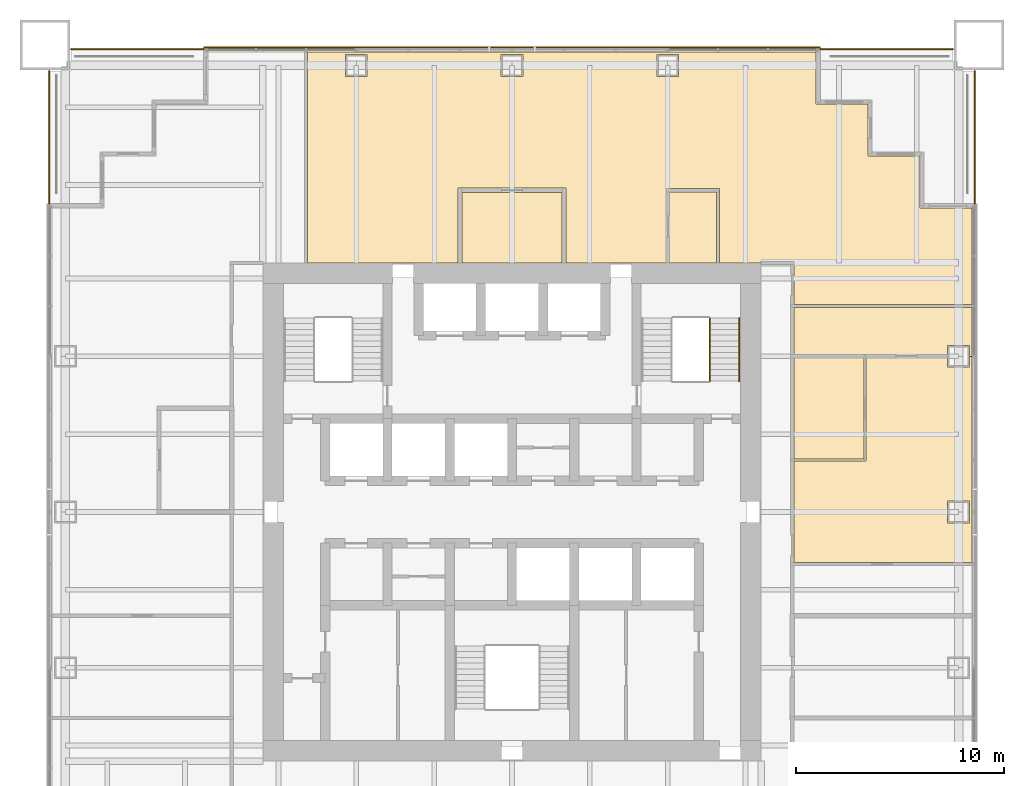
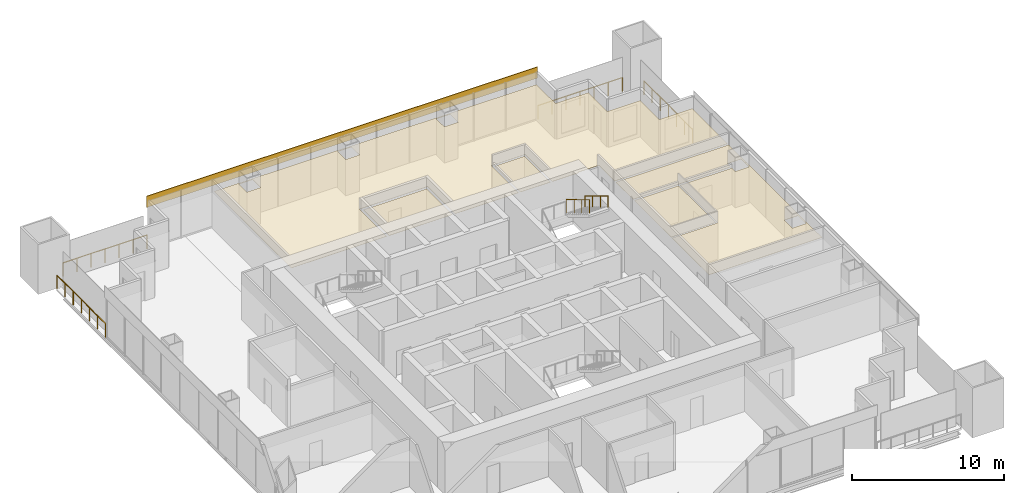
# One storey, part 13 of 13: 7 coverings, 6 railings.
"""IFC4 building model written with IfcOpenShell, lengths in metres."""

import ifcopenshell
import ifcopenshell.guid

model = None  # the IFC model being written
_history = None  # IfcOwnerHistory: only IFC2X3 demands one
_inside = {}  # id of a spatial element -> (the spatial element, [elements in it])
_under = {}  # id of a project, library or spatial element -> (it, [spatial elements below it])
_declared = {}  # id of a project -> (the project, [libraries it declares])
_typed = {}  # id of a type object -> (the type object, [elements of that type])
_made_of = {}  # id of a material, layer set ... -> (it, [elements and type objects made of it])


def new_model(schema):
    """Start an empty IFC model of exactly this schema.

    Asked for "IFC4X3", IfcOpenShell would pick the latest addendum, in which some entities
    have other attributes; the version numbers below select the first issue.
    IFC2X3 requires an IfcOwnerHistory on every rooted entity: one is made here for all.
    """
    global model, _history
    if schema == "IFC4X3":
        model = ifcopenshell.file(schema_version=(4, 3, 0, 0))
    else:
        model = ifcopenshell.file(schema=schema)
    _inside.clear()
    _under.clear()
    _declared.clear()
    _typed.clear()
    _made_of.clear()
    _history = None
    if model.schema == "IFC2X3":
        org = make("IfcOrganization", Name="unknown")
        user = make(
            "IfcPersonAndOrganization",
            ThePerson=make("IfcPerson", FamilyName="unknown"),
            TheOrganization=org,
        )
        app = make(
            "IfcApplication",
            ApplicationDeveloper=org,
            Version="unknown",
            ApplicationFullName="unknown",
            ApplicationIdentifier="unknown",
        )
        _history = make(
            "IfcOwnerHistory",
            OwningUser=user,
            OwningApplication=app,
            ChangeAction="ADDED",
            CreationDate=0,
        )
    return model


def make(cls, **values):
    """One entity of the class cls with the attributes given. An attribute that is None is left unset."""
    return model.create_entity(
        cls, **{name: value for name, value in values.items() if value is not None}
    )


def rooted(cls, **values):
    """An entity with a GlobalId (a new one), such as an element, a storey or a relation."""
    return make(cls, GlobalId=ifcopenshell.guid.new(), OwnerHistory=_history, **values)


def si_unit(unit_type, name, prefix=None):
    """IfcSIUnit, for example si_unit("LENGTHUNIT", "METRE", prefix="MILLI")."""
    return make("IfcSIUnit", UnitType=unit_type, Prefix=prefix, Name=name)


def assignment(units):
    """IfcUnitAssignment: the units of a project."""
    return None if units is None else make("IfcUnitAssignment", Units=units)


def point(xyz):
    """IfcCartesianPoint."""
    return None if xyz is None else make("IfcCartesianPoint", Coordinates=xyz)


def direction(xyz):
    """IfcDirection."""
    return None if xyz is None else make("IfcDirection", DirectionRatios=xyz)


def frame(location, z_axis=None, x_axis=None):
    """IfcAxis2Placement3D, a coordinate frame: its origin and axes. An axis left out is left unset."""
    return make(
        "IfcAxis2Placement3D",
        Location=point(location),
        Axis=direction(z_axis),
        RefDirection=direction(x_axis),
    )


def frame_2d(location, x_axis=None):
    """IfcAxis2Placement2D, a coordinate frame in the plane: its origin and x axis."""
    return make(
        "IfcAxis2Placement2D", Location=point(location), RefDirection=direction(x_axis)
    )


def origin():
    """The frame at (0, 0, 0) with its axes left unset."""
    return frame((0.0, 0.0, 0.0))


def origin_2d():
    """The frame at (0, 0) in the plane with its x axis left unset."""
    return frame_2d((0.0, 0.0))


def place(relative_to, where):
    """IfcLocalPlacement: puts the frame where relative to a parent placement (None: the world)."""
    return make(
        "IfcLocalPlacement", PlacementRelTo=relative_to, RelativePlacement=where
    )


def context(
    kind, dimensions, precision=None, world=None, true_north=None, identifier=None
):
    """IfcGeometricRepresentationContext, for example the 3D "Model" context."""
    return make(
        "IfcGeometricRepresentationContext",
        ContextIdentifier=identifier,
        ContextType=kind,
        CoordinateSpaceDimension=dimensions,
        Precision=precision,
        WorldCoordinateSystem=world,
        TrueNorth=true_north,
    )


def subcontext(parent, identifier, kind, view, scale=None):
    """IfcGeometricRepresentationSubContext, for example "Body" below "Model"."""
    return make(
        "IfcGeometricRepresentationSubContext",
        ContextIdentifier=identifier,
        ContextType=kind,
        ParentContext=parent,
        TargetScale=scale,
        TargetView=view,
    )


def project(units=None, contexts=None):
    """IfcProject with its units and contexts."""
    return rooted(
        "IfcProject",
        Name="project",
        RepresentationContexts=contexts,
        UnitsInContext=assignment(units),
    )


def spatial(cls, under=None, at=None, **own):
    """A site, building, storey or space (cls), placed at a placement, below another one or the project."""
    s = rooted(cls, ObjectPlacement=at, **own)
    if under is not None:
        _under.setdefault(under.id(), (under, []))[1].append(s)
    return s


def polyline(points):
    """IfcPolyline through the points."""
    return make("IfcPolyline", Points=[point(p) for p in points])


def profile(cls, at=None, kind="AREA", **sizes):
    """A parametric profile (cls). Its sizes go by their IFC names, for example OverallWidth=200.0."""
    return make(cls, ProfileType=kind, Position=at, **sizes)


def rectangle(**sizes):
    """IfcRectangleProfileDef."""
    return profile("IfcRectangleProfileDef", **sizes)


def circle(**sizes):
    """IfcCircleProfileDef."""
    return profile("IfcCircleProfileDef", **sizes)


def outline(outer, holes=None, kind="AREA"):
    """IfcArbitraryClosedProfileDef: a profile drawn as a closed curve; with holes, ...WithVoids."""
    if holes is None:
        return make("IfcArbitraryClosedProfileDef", ProfileType=kind, OuterCurve=outer)
    return make(
        "IfcArbitraryProfileDefWithVoids",
        ProfileType=kind,
        OuterCurve=outer,
        InnerCurves=holes,
    )


def extrude(swept, where, along, depth):
    """IfcExtrudedAreaSolid: the profile swept, set in the frame where, extruded along a direction by depth."""
    return make(
        "IfcExtrudedAreaSolid",
        SweptArea=swept,
        Position=where,
        ExtrudedDirection=direction(along),
        Depth=depth,
    )


def shape(context_of_items, identifier, shape_type, items):
    """IfcShapeRepresentation: the items that make up one representation, for example the "Body"."""
    return make(
        "IfcShapeRepresentation",
        ContextOfItems=context_of_items,
        RepresentationIdentifier=identifier,
        RepresentationType=shape_type,
        Items=items,
    )


def material(Name=None, Category=None):
    """IfcMaterial."""
    return make("IfcMaterial", Name=Name, Category=Category)


def layer(
    of_material, thickness, ventilated=None, Name=None, Category=None, Priority=None
):
    """IfcMaterialLayer: one layer of a wall or slab, of a material (None: an air gap)."""
    return make(
        "IfcMaterialLayer",
        Material=of_material,
        LayerThickness=thickness,
        IsVentilated=ventilated,
        Name=Name,
        Category=Category,
        Priority=Priority,
    )


def layer_set(layers, Name=None):
    """IfcMaterialLayerSet."""
    return make("IfcMaterialLayerSet", MaterialLayers=layers, LayerSetName=Name)


def made_of(thing, what):
    """Note that an element or type object is made of a material, layer set ...; save() writes the relation."""
    if what is not None:
        _made_of.setdefault(what.id(), (what, []))[1].append(thing)
    return thing


def type_object(cls, material=None, **own):
    """A type object (cls), such as IfcWallType, which elements share."""
    return made_of(rooted(cls, **own), material)


def element(
    cls,
    number,
    at=None,
    inside=None,
    cuts=None,
    type_object=None,
    material=None,
    context=None,
    identifier="Body",
    shape_type=None,
    held_by="IfcProductDefinitionShape",
    body=None,
    shapes=None,
    **own,
):
    """One element of the class cls, such as IfcWall. Its Tag is "e" and its number.

    at: its placement. inside: the storey or other place that contains it. cuts: it is an
    opening in that element (IfcRelVoidsElement). A single representation is given by context,
    identifier, shape_type and body (its items); several are given by shapes. held_by: the class
    of the entity that holds the representations. save() writes the other relations.
    """
    e = rooted(cls, Tag="e%d" % number, ObjectPlacement=at, **own)
    if body is not None:
        shapes = [shape(context, identifier, shape_type, body)]
    if shapes is not None:
        e.Representation = make(held_by, Representations=shapes)
    if inside is not None:
        _inside.setdefault(inside.id(), (inside, []))[1].append(e)
    if cuts is not None:
        rooted(
            "IfcRelVoidsElement", RelatingBuildingElement=cuts, RelatedOpeningElement=e
        )
    if type_object is not None:
        _typed.setdefault(type_object.id(), (type_object, []))[1].append(e)
    return made_of(e, material)


def aggregate(whole, parts):
    """IfcRelAggregates: a whole, such as a stair, and the parts it consists of."""
    return rooted("IfcRelAggregates", RelatingObject=whole, RelatedObjects=parts)


def save(model, path):
    """Write the relations noted so far, then the file.

    IfcRelAggregates (storeys below a building ...), IfcRelContainedInSpatialStructure (elements
    in a storey), IfcRelDefinesByType, IfcRelAssociatesMaterial and IfcRelDeclares: one each for
    every whole, place, type object, material and project.
    """
    for whole, parts in _under.values():
        aggregate(whole, parts)
    for where, things in _inside.values():
        rooted(
            "IfcRelContainedInSpatialStructure",
            RelatedElements=things,
            RelatingStructure=where,
        )
    for kind, things in _typed.values():
        rooted("IfcRelDefinesByType", RelatedObjects=things, RelatingType=kind)
    for what, things in _made_of.values():
        rooted("IfcRelAssociatesMaterial", RelatedObjects=things, RelatingMaterial=what)
    for by, libraries in _declared.values():
        rooted("IfcRelDeclares", RelatingContext=by, RelatedDefinitions=libraries)
    model.write(path)


model = new_model("IFC4")

# Units and contexts
model_context = context("Model", 3, precision=1e-05, world=origin(), true_north=direction((0.0, 1.0)))
body_context = subcontext(model_context, "Body", "Model", "MODEL_VIEW")
ifc_project = project(units=[si_unit("LENGTHUNIT", "METRE"), si_unit("AREAUNIT", "SQUARE_METRE"), si_unit("VOLUMEUNIT", "CUBIC_METRE"), si_unit("PLANEANGLEUNIT", "RADIAN"), si_unit("MASSUNIT", "GRAM", prefix="KILO")], contexts=[model_context])

# Site, building, storey
site_placement = place(None, origin())
site = spatial("IfcSite", under=ifc_project, at=site_placement, CompositionType="ELEMENT")
building_placement = place(site_placement, origin())
building = spatial("IfcBuilding", under=site, at=building_placement, Name="Tarangal Relay Tower", CompositionType="ELEMENT")
storey_placement = place(building_placement, frame((0.0, 0.0, 197.89990234375)))
storey = spatial("IfcBuildingStorey", under=building, at=storey_placement, Name="L41", CompositionType="ELEMENT", Elevation=197.89990234375)

# Covering
ifc_material_1 = material(Name="Black anodised aluminium cladding", Category="aluminium")
ifc_layer_1 = layer(ifc_material_1, 0.050048828125)
ifc_layer_set_1 = layer_set([ifc_layer_1], Name="Black metal spandrel band")
covering_type_1 = type_object("IfcCoveringType", Name="Black metal spandrel band", PredefinedType="CLADDING", material=ifc_layer_set_1)
covering_1_placement = place(storey_placement, frame((0.0, 22.375, 3.250244140625), z_axis=(0.0, 0.0, 1.0), x_axis=(1.0, 0.0, 0.0)))
element("IfcCovering", 1, at=covering_1_placement, inside=storey, type_object=covering_type_1, Name="Spandrel band SB1 N L41", PredefinedType="CLADDING", context=body_context, shape_type="SweptSolid", body=[
    extrude(rectangle(XDim=29.699951171875, YDim=0.050048828125, at=origin_2d()), origin(), (0.0, 0.0, 1.0), 0.89990234375),
])

# Railings
ifc_material_2 = material(Name="Steel guard, black finish", Category="steel")
railing_type_1 = type_object("IfcRailingType", Name="Stair guard 1100", PredefinedType="GUARDRAIL", material=ifc_material_2)
railing_1_placement = place(storey_placement, frame((9.530029296875, 9.346923828125, 2.166748046875)))
element("IfcRailing", 2, at=railing_1_placement, inside=storey, type_object=railing_type_1, Name="Stair ST-B guard GR1 L41 flight 2", PredefinedType="GUARDRAIL", context=body_context, shape_type="SweptSolid", body=[
    extrude(circle(Radius=0.02392578125, at=origin_2d()), frame((0.0, 0.0, 1.076171875), z_axis=(0.0, -0.85685617095, 0.515555527858), x_axis=(1.0, 0.0, 0.0)), (0.0, 0.0, 1.0), 3.555908203125),
    extrude(circle(Radius=0.02099609375, at=origin_2d()), origin(), (0.0, 0.0, 1.0), 1.052001953125),
    extrude(circle(Radius=0.02099609375, at=origin_2d()), frame((0.0, -1.015625, 0.611083984375)), (0.0, 0.0, 1.0), 1.052001953125),
    extrude(circle(Radius=0.02099609375, at=origin_2d()), frame((0.0, -2.03125, 1.22216796875)), (0.0, 0.0, 1.0), 1.052001953125),
    extrude(circle(Radius=0.02099609375, at=origin_2d()), frame((0.0, -3.046875, 1.833251953125)), (0.0, 0.0, 1.0), 1.052001953125),
])
ifc_material_3 = material(Name="Steel handrail, black finish", Category="steel")
railing_type_2 = type_object("IfcRailingType", Name="Stair handrail 900", PredefinedType="HANDRAIL", material=ifc_material_3)
railing_2_placement = place(storey_placement, frame((10.93994140625, 9.346923828125, 2.166748046875)))
element("IfcRailing", 3, at=railing_2_placement, inside=storey, type_object=railing_type_2, Name="Stair ST-B handrail HR1 L41 flight 2", PredefinedType="HANDRAIL", context=body_context, shape_type="SweptSolid", body=[
    extrude(circle(Radius=0.02392578125, at=origin_2d()), frame((0.0, 0.0, 0.8759765625), z_axis=(0.0, -0.85685617095, 0.515555527858), x_axis=(1.0, 0.0, 0.0)), (0.0, 0.0, 1.0), 3.555908203125),
    extrude(circle(Radius=0.02099609375, at=origin_2d()), origin(), (0.0, 0.0, 1.0), 0.851806640625),
    extrude(circle(Radius=0.02099609375, at=origin_2d()), frame((0.0, -1.015625, 0.611083984375)), (0.0, 0.0, 1.0), 0.851806640625),
    extrude(circle(Radius=0.02099609375, at=origin_2d()), frame((0.0, -2.03125, 1.22216796875)), (0.0, 0.0, 1.0), 0.851806640625),
    extrude(circle(Radius=0.02099609375, at=origin_2d()), frame((0.0, -3.046875, 1.833251953125)), (0.0, 0.0, 1.0), 0.851806640625),
])

# Coverings
ifc_material_4 = material(Name="Mineral fibre ceiling tiles", Category="gypsum")
ifc_layer_2 = layer(ifc_material_4, 0.02001953125)
ifc_layer_set_2 = layer_set([ifc_layer_2], Name="Suspended ceiling")
covering_type_2 = type_object("IfcCoveringType", Name="Suspended ceiling", PredefinedType="CEILING", material=ifc_layer_set_2)
covering_2_placement = place(storey_placement, frame((0.0, 0.0, 2.900146484375)))
element("IfcCovering", 4, at=covering_2_placement, inside=storey, type_object=covering_type_2, Name="Suspended ceiling CL1 L41-02", PredefinedType="CEILING", context=body_context, shape_type="SweptSolid", body=[
    extrude(outline(polyline([(2.39990234375, 12.0), (2.39990234375, 15.39990234375), (-2.39990234375, 15.39990234375), (-2.39990234375, 12.0), (2.39990234375, 12.0)])), origin(), (0.0, 0.0, 1.0), 0.02001953125),
])
covering_3_placement = place(storey_placement, frame((0.0, 0.0, 2.900146484375)))
element("IfcCovering", 5, at=covering_3_placement, inside=storey, type_object=covering_type_2, Name="Suspended ceiling CL1 L41-03", PredefinedType="CEILING", context=body_context, shape_type="SweptSolid", body=[
    extrude(outline(polyline([(9.842041015625, 12.0), (9.842041015625, 15.425048828125), (7.574951171875, 15.425048828125), (7.574951171875, 12.0), (9.842041015625, 12.0)])), origin(), (0.0, 0.0, 1.0), 0.02001953125),
])
covering_4_placement = place(storey_placement, frame((0.0, 0.0, 2.900146484375)))
element("IfcCovering", 6, at=covering_4_placement, inside=storey, type_object=covering_type_2, Name="Suspended ceiling CL1 L41-04", PredefinedType="CEILING", context=body_context, shape_type="SweptSolid", body=[
    extrude(outline(polyline([(22.14990234375, 7.5), (22.14990234375, 9.842041015625), (13.574951171875, 9.842041015625), (13.574951171875, 7.574951171875), (20.989990234375, 7.574951171875), (20.989990234375, 8.02490234375), (22.0400390625, 8.02490234375), (22.0400390625, 7.5), (22.14990234375, 7.5)])), origin(), (0.0, 0.0, 1.0), 0.02001953125),
])
covering_5_placement = place(storey_placement, frame((0.0, 0.0, 2.900146484375)))
element("IfcCovering", 7, at=covering_5_placement, inside=storey, type_object=covering_type_2, Name="Suspended ceiling CL1 L41-05", PredefinedType="CEILING", context=body_context, shape_type="SweptSolid", body=[
    extrude(outline(polyline([(13.574951171875, 7.425048828125), (13.574951171875, 2.550048828125), (16.949951171875, 2.550048828125), (16.949951171875, 7.425048828125), (13.574951171875, 7.425048828125)])), origin(), (0.0, 0.0, 1.0), 0.02001953125),
])
covering_6_placement = place(storey_placement, frame((0.0, 0.0, 2.900146484375)))
element("IfcCovering", 8, at=covering_6_placement, inside=storey, type_object=covering_type_2, Name="Suspended ceiling CL1 L41-06", PredefinedType="CEILING", context=body_context, shape_type="SweptSolid", body=[
    extrude(outline(polyline([(22.14990234375, 7.5), (22.0400390625, 7.5), (22.0400390625, 6.97509765625), (20.989990234375, 6.97509765625), (20.989990234375, 7.425048828125), (17.050048828125, 7.425048828125), (17.050048828125, 2.449951171875), (13.574951171875, 2.449951171875), (13.574951171875, -2.425048828125), (22.14990234375, -2.425048828125), (22.14990234375, 7.5)]), holes=[polyline([(22.0400390625, -0.52490234375), (22.0400390625, 0.52490234375), (20.989990234375, 0.52490234375), (20.989990234375, -0.52490234375), (22.0400390625, -0.52490234375)])]), origin(), (0.0, 0.0, 1.0), 0.02001953125),
])
covering_7_placement = place(storey_placement, frame((0.0, 0.0, 2.900146484375)))
element("IfcCovering", 9, at=covering_7_placement, inside=storey, type_object=covering_type_2, Name="Suspended ceiling CL1 L41-14", PredefinedType="CEILING", context=body_context, shape_type="SweptSolid", body=[
    extrude(outline(polyline([(7.425048828125, 12.0), (7.425048828125, 15.574951171875), (9.991943359375, 15.574951171875), (9.991943359375, 12.0), (12.0, 12.0), (12.0, 12.074951171875), (13.574951171875, 12.074951171875), (13.574951171875, 9.991943359375), (22.14990234375, 9.991943359375), (22.14990234375, 14.64990234375), (19.64990234375, 14.64990234375), (19.64990234375, 17.14990234375), (17.14990234375, 17.14990234375), (17.14990234375, 19.64990234375), (14.64990234375, 19.64990234375), (14.64990234375, 22.14990234375), (-9.842041015625, 22.14990234375), (-9.842041015625, 12.0), (-2.60009765625, 12.0), (-2.60009765625, 15.60009765625), (2.60009765625, 15.60009765625), (2.60009765625, 12.0), (7.425048828125, 12.0)]), holes=[polyline([(-6.97509765625, 20.989990234375), (-6.97509765625, 22.0400390625), (-8.02490234375, 22.0400390625), (-8.02490234375, 20.989990234375), (-6.97509765625, 20.989990234375)]), polyline([(-0.52490234375, 20.989990234375), (0.52490234375, 20.989990234375), (0.52490234375, 22.0400390625), (-0.52490234375, 22.0400390625), (-0.52490234375, 20.989990234375)]), polyline([(6.97509765625, 20.989990234375), (8.02490234375, 20.989990234375), (8.02490234375, 22.0400390625), (6.97509765625, 22.0400390625), (6.97509765625, 20.989990234375)])]), origin(), (0.0, 0.0, 1.0), 0.02001953125),
])

# Railings
ifc_material_5 = material(Name="Black steel guard with glass infill", Category="steel")
railing_type_3 = type_object("IfcRailingType", Name="Terrace guard 1100", PredefinedType="GUARDRAIL", material=ifc_material_5)
railing_3_placement = place(storey_placement, frame((14.85009765625, 22.300048828125, 0.0)))
element("IfcRailing", 10, at=railing_3_placement, inside=storey, type_object=railing_type_3, Name="Terrace guard GR2 NE L41", PredefinedType="GUARDRAIL", context=body_context, shape_type="SweptSolid", body=[
    extrude(circle(Radius=0.02392578125, at=origin_2d()), frame((0.0, 0.0, 1.076171875), z_axis=(1.0, 0.0, 0.0), x_axis=(0.0, 1.0, 0.0)), (0.0, 0.0, 1.0), 6.39990234375),
    extrude(circle(Radius=0.02099609375, at=origin_2d()), origin(), (0.0, 0.0, 1.0), 1.052001953125),
    extrude(circle(Radius=0.02099609375, at=origin_2d()), frame((1.066650390625, 0.0, 0.0)), (0.0, 0.0, 1.0), 1.052001953125),
    extrude(circle(Radius=0.02099609375, at=origin_2d()), frame((2.13330078125, 0.0, 0.0)), (0.0, 0.0, 1.0), 1.052001953125),
    extrude(circle(Radius=0.02099609375, at=origin_2d()), frame((3.199951171875, 0.0, 0.0)), (0.0, 0.0, 1.0), 1.052001953125),
    extrude(circle(Radius=0.02099609375, at=origin_2d()), frame((4.2666015625, 0.0, 0.0)), (0.0, 0.0, 1.0), 1.052001953125),
    extrude(circle(Radius=0.02099609375, at=origin_2d()), frame((5.333251953125, 0.0, 0.0)), (0.0, 0.0, 1.0), 1.052001953125),
    extrude(circle(Radius=0.02099609375, at=origin_2d()), frame((6.39990234375, 0.0, 0.0)), (0.0, 0.0, 1.0), 1.052001953125),
])
railing_4_placement = place(storey_placement, frame((22.300048828125, 21.25, 0.0)))
element("IfcRailing", 11, at=railing_4_placement, inside=storey, type_object=railing_type_3, Name="Terrace guard GR2 NE L41", PredefinedType="GUARDRAIL", context=body_context, shape_type="SweptSolid", body=[
    extrude(circle(Radius=0.02392578125, at=origin_2d()), frame((0.0, 0.0, 1.076171875), z_axis=(0.0, -1.0, 0.0), x_axis=(1.0, 0.0, 0.0)), (0.0, 0.0, 1.0), 6.39990234375),
    extrude(circle(Radius=0.02099609375, at=origin_2d()), origin(), (0.0, 0.0, 1.0), 1.052001953125),
    extrude(circle(Radius=0.02099609375, at=origin_2d()), frame((0.0, -1.066650390625, 0.0)), (0.0, 0.0, 1.0), 1.052001953125),
    extrude(circle(Radius=0.02099609375, at=origin_2d()), frame((0.0, -2.13330078125, 0.0)), (0.0, 0.0, 1.0), 1.052001953125),
    extrude(circle(Radius=0.02099609375, at=origin_2d()), frame((0.0, -3.199951171875, 0.0)), (0.0, 0.0, 1.0), 1.052001953125),
    extrude(circle(Radius=0.02099609375, at=origin_2d()), frame((0.0, -4.2666015625, 0.0)), (0.0, 0.0, 1.0), 1.052001953125),
    extrude(circle(Radius=0.02099609375, at=origin_2d()), frame((0.0, -5.333251953125, 0.0)), (0.0, 0.0, 1.0), 1.052001953125),
    extrude(circle(Radius=0.02099609375, at=origin_2d()), frame((0.0, -6.39990234375, 0.0)), (0.0, 0.0, 1.0), 1.052001953125),
])
railing_5_placement = place(storey_placement, frame((-22.300048828125, 14.85009765625, 0.0)))
element("IfcRailing", 12, at=railing_5_placement, inside=storey, type_object=railing_type_3, Name="Terrace guard GR2 NW L41", PredefinedType="GUARDRAIL", context=body_context, shape_type="SweptSolid", body=[
    extrude(circle(Radius=0.02392578125, at=origin_2d()), frame((0.0, 0.0, 1.076171875), z_axis=(0.0, 1.0, 0.0), x_axis=(-1.0, 0.0, 0.0)), (0.0, 0.0, 1.0), 6.39990234375),
    extrude(circle(Radius=0.02099609375, at=origin_2d()), origin(), (0.0, 0.0, 1.0), 1.052001953125),
    extrude(circle(Radius=0.02099609375, at=origin_2d()), frame((0.0, 1.066650390625, 0.0)), (0.0, 0.0, 1.0), 1.052001953125),
    extrude(circle(Radius=0.02099609375, at=origin_2d()), frame((0.0, 2.13330078125, 0.0)), (0.0, 0.0, 1.0), 1.052001953125),
    extrude(circle(Radius=0.02099609375, at=origin_2d()), frame((0.0, 3.199951171875, 0.0)), (0.0, 0.0, 1.0), 1.052001953125),
    extrude(circle(Radius=0.02099609375, at=origin_2d()), frame((0.0, 4.2666015625, 0.0)), (0.0, 0.0, 1.0), 1.052001953125),
    extrude(circle(Radius=0.02099609375, at=origin_2d()), frame((0.0, 5.333251953125, 0.0)), (0.0, 0.0, 1.0), 1.052001953125),
    extrude(circle(Radius=0.02099609375, at=origin_2d()), frame((0.0, 6.39990234375, 0.0)), (0.0, 0.0, 1.0), 1.052001953125),
])
railing_6_placement = place(storey_placement, frame((-21.25, 22.300048828125, 0.0)))
element("IfcRailing", 13, at=railing_6_placement, inside=storey, type_object=railing_type_3, Name="Terrace guard GR2 NW L41", PredefinedType="GUARDRAIL", context=body_context, shape_type="SweptSolid", body=[
    extrude(circle(Radius=0.02392578125, at=origin_2d()), frame((0.0, 0.0, 1.076171875), z_axis=(1.0, 0.0, 0.0), x_axis=(0.0, 1.0, 0.0)), (0.0, 0.0, 1.0), 6.39990234375),
    extrude(circle(Radius=0.02099609375, at=origin_2d()), origin(), (0.0, 0.0, 1.0), 1.052001953125),
    extrude(circle(Radius=0.02099609375, at=origin_2d()), frame((1.066650390625, 0.0, 0.0)), (0.0, 0.0, 1.0), 1.052001953125),
    extrude(circle(Radius=0.02099609375, at=origin_2d()), frame((2.13330078125, 0.0, 0.0)), (0.0, 0.0, 1.0), 1.052001953125),
    extrude(circle(Radius=0.02099609375, at=origin_2d()), frame((3.199951171875, 0.0, 0.0)), (0.0, 0.0, 1.0), 1.052001953125),
    extrude(circle(Radius=0.02099609375, at=origin_2d()), frame((4.2666015625, 0.0, 0.0)), (0.0, 0.0, 1.0), 1.052001953125),
    extrude(circle(Radius=0.02099609375, at=origin_2d()), frame((5.333251953125, 0.0, 0.0)), (0.0, 0.0, 1.0), 1.052001953125),
    extrude(circle(Radius=0.02099609375, at=origin_2d()), frame((6.39990234375, 0.0, 0.0)), (0.0, 0.0, 1.0), 1.052001953125),
])

save(model, "model.ifc")
